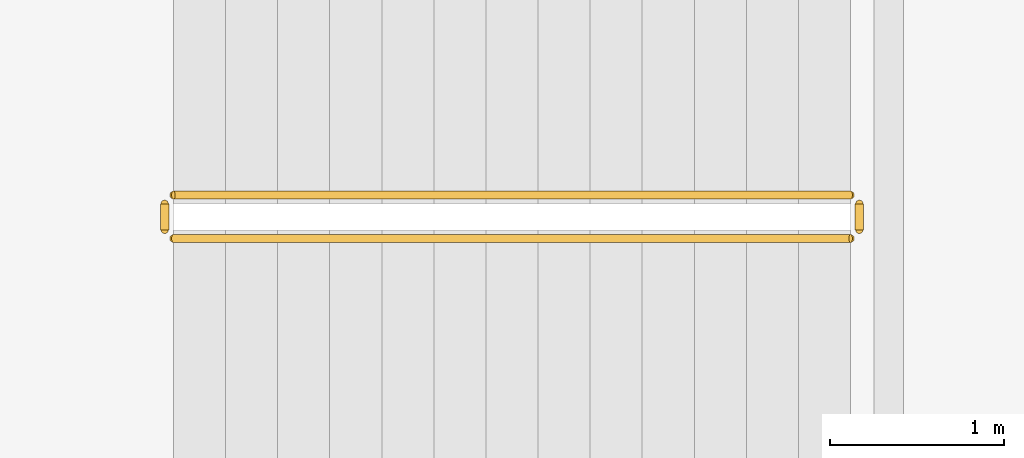
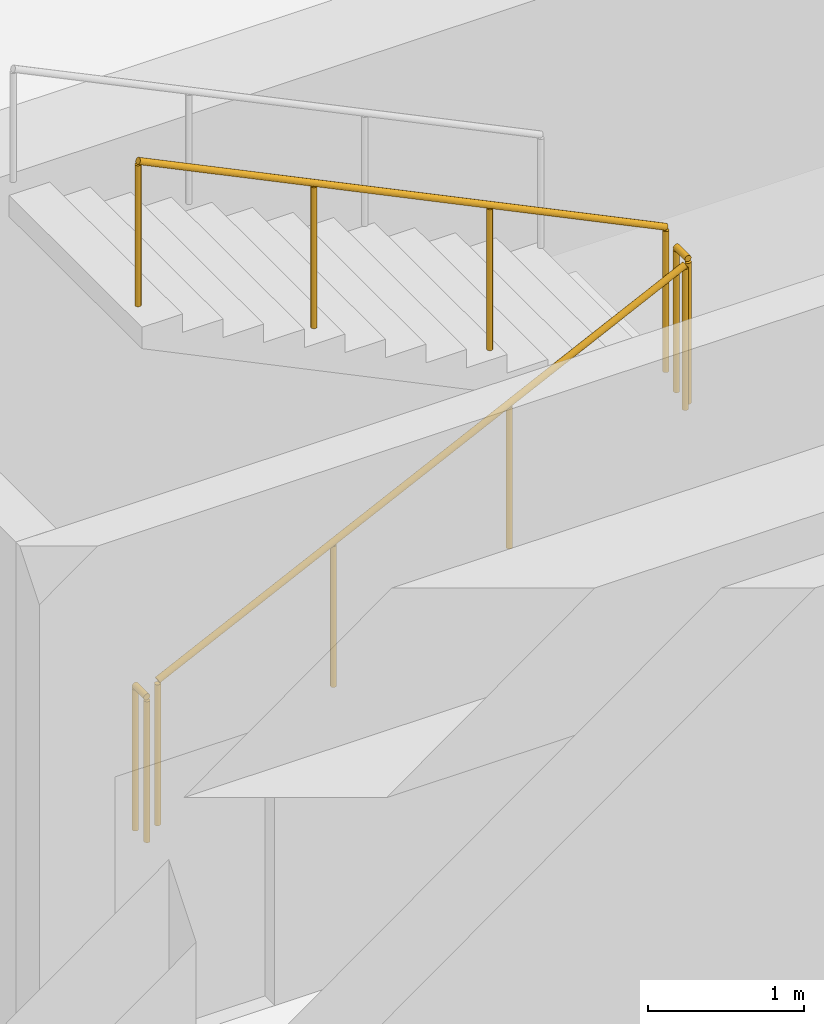
# One storey, part 36 of 37: 4 railings.
"""IFC4 building model written with IfcOpenShell, lengths in metres."""

from ifc_helpers import new_model, si_unit, direction, frame, origin, origin_2d, place, context, subcontext, project, spatial, circle, extrude, material, type_object, element, save


model = new_model("IFC4")

# Units and contexts
model_context = context("Model", 3, precision=1e-05, world=origin(), true_north=direction((0.0, 1.0)))
body_context = subcontext(model_context, "Body", "Model", "MODEL_VIEW")
ifc_project = project(units=[si_unit("LENGTHUNIT", "METRE"), si_unit("AREAUNIT", "SQUARE_METRE"), si_unit("VOLUMEUNIT", "CUBIC_METRE"), si_unit("PLANEANGLEUNIT", "RADIAN"), si_unit("MASSUNIT", "GRAM", prefix="KILO")], contexts=[model_context])

# Site, building, storey
site_placement = place(None, origin())
site = spatial("IfcSite", under=ifc_project, at=site_placement, CompositionType="ELEMENT")
building_placement = place(site_placement, origin())
building = spatial("IfcBuilding", under=site, at=building_placement, Name="Punatoya Terracotta Tower", CompositionType="ELEMENT")
storey_placement = place(building_placement, frame((0.0, 0.0, 224.85009765625)))
storey = spatial("IfcBuildingStorey", under=building, at=storey_placement, Name="L53", CompositionType="ELEMENT", Elevation=224.85009765625)

# Railings
ifc_material = material(Name="Steel S355", Category="steel")
railing_type = type_object("IfcRailingType", Name="RLG-GRD-1150", PredefinedType="GUARDRAIL", material=ifc_material)
railing_1_placement = place(storey_placement, frame((-2.89990234375, 6.949951171875, 0.14453125)))
element("IfcRailing", 1, at=railing_1_placement, inside=storey, type_object=railing_type, Name="L53 ST-3 stair guard 1", PredefinedType="GUARDRAIL", context=body_context, shape_type="SweptSolid", body=[
    extrude(circle(Radius=0.02392578125, at=origin_2d()), frame((0.0, 0.0, 1.1259765625), z_axis=(0.900763166376, 0.0, 0.434310623978), x_axis=(0.0, 1.0, 0.0)), (0.0, 0.0, 1.0), 4.32958984375),
    extrude(circle(Radius=0.02099609375, at=origin_2d()), origin(), (0.0, 0.0, 1.0), 1.101806640625),
    extrude(circle(Radius=0.02099609375, at=origin_2d()), frame((1.300048828125, 0.0, 0.626708984375)), (0.0, 0.0, 1.0), 1.101806640625),
    extrude(circle(Radius=0.02099609375, at=origin_2d()), frame((2.599853515625, 0.0, 1.253662109375)), (0.0, 0.0, 1.0), 1.101806640625),
    extrude(circle(Radius=0.02099609375, at=origin_2d()), frame((3.89990234375, 0.0, 1.88037109375)), (0.0, 0.0, 1.0), 1.101806640625),
])
railing_2_placement = place(storey_placement, frame((1.050048828125, 7.0, 2.02490234375)))
element("IfcRailing", 2, at=railing_2_placement, inside=storey, type_object=railing_type, Name="L53 ST-3 stair guard 2", PredefinedType="GUARDRAIL", context=body_context, shape_type="SweptSolid", body=[
    extrude(circle(Radius=0.02392578125, at=origin_2d()), frame((0.0, 0.0, 1.1259765625), z_axis=(0.0, 1.0, 0.0), x_axis=(-1.0, 0.0, 0.0)), (0.0, 0.0, 1.0), 0.14990234375),
    extrude(circle(Radius=0.02099609375, at=origin_2d()), origin(), (0.0, 0.0, 1.0), 1.101806640625),
    extrude(circle(Radius=0.02099609375, at=origin_2d()), frame((0.0, 0.14990234375, 0.0)), (0.0, 0.0, 1.0), 1.101806640625),
])
railing_3_placement = place(storey_placement, frame((1.0, 7.199951171875, 2.16943359375)))
element("IfcRailing", 3, at=railing_3_placement, inside=storey, type_object=railing_type, Name="L53 ST-3 stair guard 3", PredefinedType="GUARDRAIL", context=body_context, shape_type="SweptSolid", body=[
    extrude(circle(Radius=0.02392578125, at=origin_2d()), frame((0.0, 0.0, 1.1259765625), z_axis=(-0.900763166376, 0.0, 0.434310623978), x_axis=(0.0, -1.0, 0.0)), (0.0, 0.0, 1.0), 4.32958984375),
    extrude(circle(Radius=0.02099609375, at=origin_2d()), origin(), (0.0, 0.0, 1.0), 1.101806640625),
    extrude(circle(Radius=0.02099609375, at=origin_2d()), frame((-1.300048828125, 0.0, 0.626708984375)), (0.0, 0.0, 1.0), 1.101806640625),
    extrude(circle(Radius=0.02099609375, at=origin_2d()), frame((-2.599853515625, 0.0, 1.253662109375)), (0.0, 0.0, 1.0), 1.101806640625),
    extrude(circle(Radius=0.02099609375, at=origin_2d()), frame((-3.89990234375, 0.0, 1.88037109375)), (0.0, 0.0, 1.0), 1.101806640625),
])
railing_4_placement = place(storey_placement, frame((-2.949951171875, 7.0, 0.0)))
element("IfcRailing", 4, at=railing_4_placement, inside=storey, type_object=railing_type, Name="L53 ST-3 stair guard 4", PredefinedType="GUARDRAIL", context=body_context, shape_type="SweptSolid", body=[
    extrude(circle(Radius=0.02392578125, at=origin_2d()), frame((0.0, 0.0, 1.1259765625), z_axis=(0.0, 1.0, 0.0), x_axis=(-1.0, 0.0, 0.0)), (0.0, 0.0, 1.0), 0.14990234375),
    extrude(circle(Radius=0.02099609375, at=origin_2d()), origin(), (0.0, 0.0, 1.0), 1.101806640625),
    extrude(circle(Radius=0.02099609375, at=origin_2d()), frame((0.0, 0.14990234375, 0.0)), (0.0, 0.0, 1.0), 1.101806640625),
])

save(model, "model.ifc")
